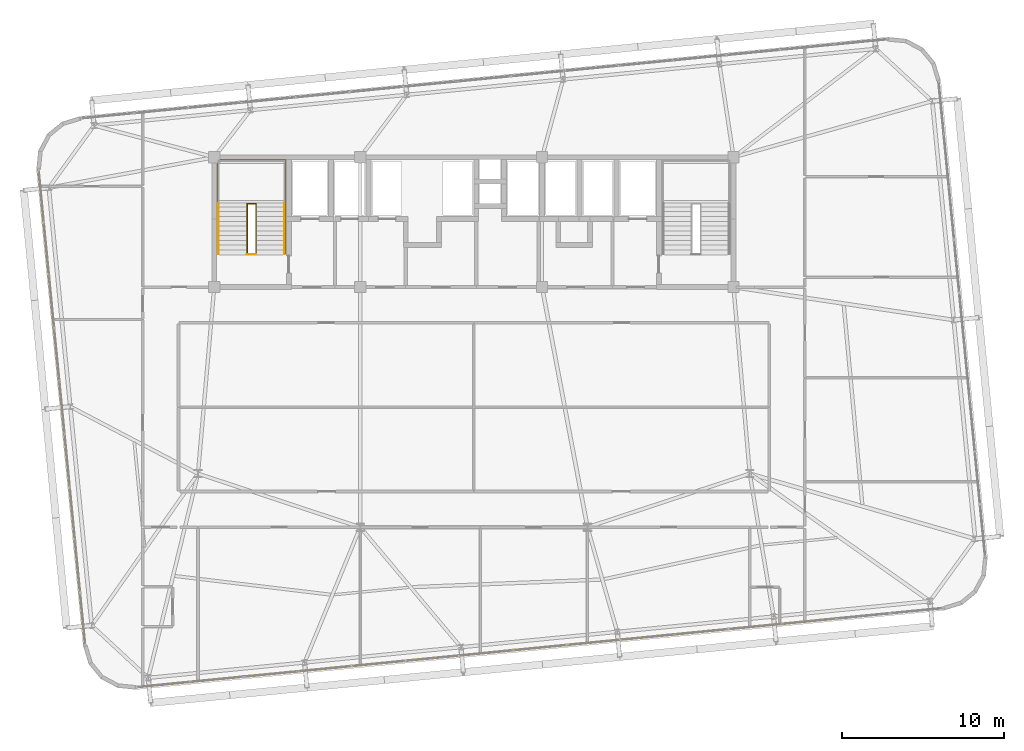
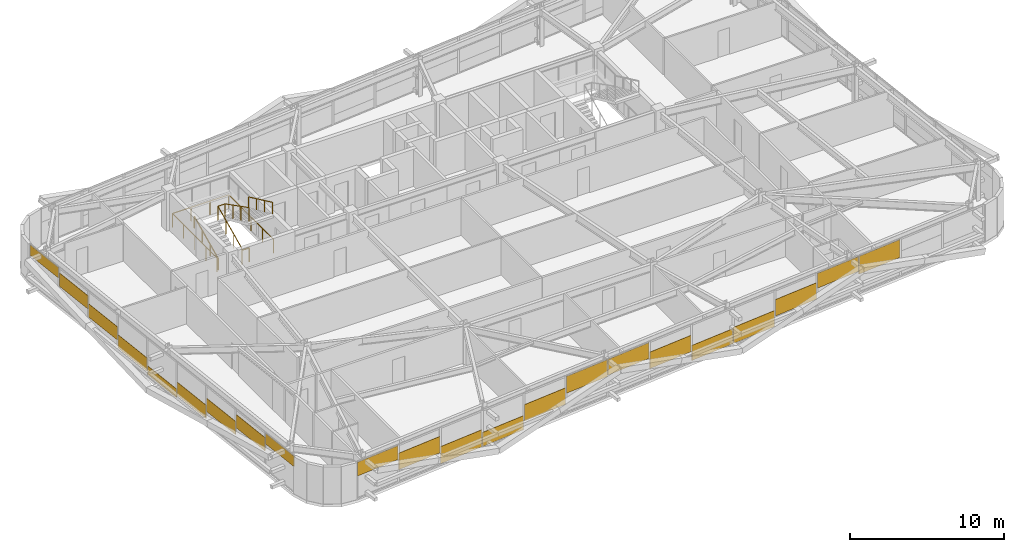
# One storey, part 50 of 52: 22 coverings, 5 railings.
"""IFC4 building model written with IfcOpenShell, lengths in metres."""

from ifc_helpers import new_model, si_unit, direction, frame, origin, origin_2d, place, context, subcontext, project, spatial, rectangle, extrude, source, transform, mapped, material, layer, layer_set, type_object, element, save


model = new_model("IFC4")

# Units and contexts
model_context = context("Model", 3, precision=1e-05, world=origin(), true_north=direction((0.0, 1.0)))
body_context = subcontext(model_context, "Body", "Model", "MODEL_VIEW")
ifc_project = project(units=[si_unit("LENGTHUNIT", "METRE"), si_unit("AREAUNIT", "SQUARE_METRE"), si_unit("VOLUMEUNIT", "CUBIC_METRE"), si_unit("PLANEANGLEUNIT", "RADIAN"), si_unit("MASSUNIT", "GRAM", prefix="KILO")], contexts=[model_context])

# Site, building, storey
site_placement = place(None, origin())
site = spatial("IfcSite", under=ifc_project, at=site_placement, CompositionType="ELEMENT")
building_placement = place(site_placement, origin())
building = spatial("IfcBuilding", under=site, at=building_placement, Name="Taldren Reach Tower", CompositionType="ELEMENT")
storey_placement = place(building_placement, frame((0.0, 0.0, 77.699951171875)))
storey = spatial("IfcBuildingStorey", under=building, at=storey_placement, Name="L23", CompositionType="ELEMENT", Elevation=77.699951171875)

# Railings
ifc_material_1 = material(Name="Steel Gr 350 (C350L0)", Category="steel")
ifc_layer_1 = layer(ifc_material_1, 0.050048828125)
ifc_layer_set_1 = layer_set([ifc_layer_1], Name="Steel Gr 350 (C350L0)")
railing_type_1 = type_object("IfcRailingType", Name="RL-STAIR-GR", PredefinedType="GUARDRAIL", material=ifc_layer_set_1)
railing_1_placement = place(storey_placement, frame((21.030029296875, 26.050048828125, 0.13134765625)))
element("IfcRailing", 1, at=railing_1_placement, inside=storey, type_object=railing_type_1, Name="Stairwell inner guard ST1-L23", PredefinedType="GUARDRAIL", context=body_context, shape_type="SweptSolid", body=[
    extrude(rectangle(XDim=0.047852, YDim=0.047852, at=origin_2d()), frame((0.0, 0.0, 1.09619140625), z_axis=(0.0, 0.905737652094, 0.423838773095), x_axis=(-1.0, 0.0, 0.0)), (0.0, 0.0, 1.0), 3.406005859375),
    extrude(rectangle(XDim=0.047852, YDim=0.047852, at=origin_2d()), frame((0.0, 3.0849609375, 2.53955078125), z_axis=(1.0, 0.0, 0.0), x_axis=(0.0, 1.0, 0.0)), (0.0, 0.0, 1.0), 0.5400390625),
    extrude(rectangle(XDim=0.047852, YDim=0.047852, at=origin_2d()), frame((0.5400390625, 3.0849609375, 2.53955078125), z_axis=(0.0, -0.890617412389, 0.454753366946), x_axis=(1.0, 0.0, 0.0)), (0.0, 0.0, 1.0), 3.4638671875),
    extrude(rectangle(XDim=0.041992, YDim=0.041992, at=origin_2d()), origin(), (0.0, 0.0, 1.0), 1.072021484375),
    extrude(rectangle(XDim=0.041992, YDim=0.041992, at=origin_2d()), frame((0.0, 1.0283203125, 0.481201171875)), (0.0, 0.0, 1.0), 1.072021484375),
    extrude(rectangle(XDim=0.041992, YDim=0.041992, at=origin_2d()), frame((0.0, 2.056640625, 0.96240234375)), (0.0, 0.0, 1.0), 1.072021484375),
    extrude(rectangle(XDim=0.041992, YDim=0.041992, at=origin_2d()), frame((0.0, 3.0849609375, 1.443603515625)), (0.0, 0.0, 1.0), 1.072021484375),
    extrude(rectangle(XDim=0.041992, YDim=0.041992, at=origin_2d()), frame((0.5400390625, 3.0849609375, 1.443603515625)), (0.0, 0.0, 1.0), 1.072021484375),
    extrude(rectangle(XDim=0.041992, YDim=0.041992, at=origin_2d()), frame((0.5400390625, 2.056640625, 1.96875)), (0.0, 0.0, 1.0), 1.072021484375),
    extrude(rectangle(XDim=0.041992, YDim=0.041992, at=origin_2d()), frame((0.5400390625, 1.0283203125, 2.49365234375)), (0.0, 0.0, 1.0), 1.072021484375),
    extrude(rectangle(XDim=0.041992, YDim=0.041992, at=origin_2d()), frame((0.5400390625, 0.0, 3.018798828125)), (0.0, 0.0, 1.0), 1.072021484375),
])
railing_2_placement = place(storey_placement, frame((21.030029296875, 26.010009765625, 0.0)))
element("IfcRailing", 2, at=railing_2_placement, inside=storey, type_object=railing_type_1, Name="Stairwell landing slot guard ST1-L23", PredefinedType="GUARDRAIL", context=body_context, shape_type="SweptSolid", body=[
    extrude(rectangle(XDim=0.047852, YDim=0.047852, at=origin_2d()), frame((0.0, 0.0, 1.09619140625), z_axis=(1.0, 0.0, 0.0), x_axis=(0.0, 1.0, 0.0)), (0.0, 0.0, 1.0), 0.5400390625),
    extrude(rectangle(XDim=0.041992, YDim=0.041992, at=origin_2d()), origin(), (0.0, 0.0, 1.0), 1.072021484375),
    extrude(rectangle(XDim=0.041992, YDim=0.041992, at=origin_2d()), frame((0.5400390625, 0.0, 0.0)), (0.0, 0.0, 1.0), 1.072021484375),
])
railing_3_placement = place(storey_placement, frame((19.18994140625, 26.050048828125, 0.0)))
element("IfcRailing", 3, at=railing_3_placement, inside=storey, type_object=railing_type_1, Name="Stairwell floor opening guard ST1-L23", PredefinedType="GUARDRAIL", context=body_context, shape_type="SweptSolid", body=[
    extrude(rectangle(XDim=0.047852, YDim=0.047852, at=origin_2d()), frame((0.0, 0.0, 1.09619140625), z_axis=(0.0, 1.0, 0.0), x_axis=(-1.0, 0.0, 0.0)), (0.0, 0.0, 1.0), 5.800048828125),
    extrude(rectangle(XDim=0.047852, YDim=0.047852, at=origin_2d()), frame((0.0, 5.800048828125, 1.09619140625), z_axis=(1.0, 0.0, 0.0), x_axis=(0.0, 1.0, 0.0)), (0.0, 0.0, 1.0), 4.219970703125),
    extrude(rectangle(XDim=0.047852, YDim=0.047852, at=origin_2d()), frame((4.219970703125, 5.800048828125, 1.09619140625), z_axis=(0.0, -1.0, 0.0), x_axis=(1.0, 0.0, 0.0)), (0.0, 0.0, 1.0), 5.800048828125),
    extrude(rectangle(XDim=0.041992, YDim=0.041992, at=origin_2d()), origin(), (0.0, 0.0, 1.0), 1.072021484375),
    extrude(rectangle(XDim=0.041992, YDim=0.041992, at=origin_2d()), frame((0.0, 1.449951171875, 0.0)), (0.0, 0.0, 1.0), 1.072021484375),
    extrude(rectangle(XDim=0.041992, YDim=0.041992, at=origin_2d()), frame((0.0, 2.89990234375, 0.0)), (0.0, 0.0, 1.0), 1.072021484375),
    extrude(rectangle(XDim=0.041992, YDim=0.041992, at=origin_2d()), frame((0.0, 4.35009765625, 0.0)), (0.0, 0.0, 1.0), 1.072021484375),
    extrude(rectangle(XDim=0.041992, YDim=0.041992, at=origin_2d()), frame((0.0, 5.800048828125, 0.0)), (0.0, 0.0, 1.0), 1.072021484375),
    extrude(rectangle(XDim=0.041992, YDim=0.041992, at=origin_2d()), frame((1.40673828125, 5.800048828125, 0.0)), (0.0, 0.0, 1.0), 1.072021484375),
    extrude(rectangle(XDim=0.041992, YDim=0.041992, at=origin_2d()), frame((2.813232421875, 5.800048828125, 0.0)), (0.0, 0.0, 1.0), 1.072021484375),
    extrude(rectangle(XDim=0.041992, YDim=0.041992, at=origin_2d()), frame((4.219970703125, 5.800048828125, 0.0)), (0.0, 0.0, 1.0), 1.072021484375),
    extrude(rectangle(XDim=0.041992, YDim=0.041992, at=origin_2d()), frame((4.219970703125, 4.35009765625, 0.0)), (0.0, 0.0, 1.0), 1.072021484375),
    extrude(rectangle(XDim=0.041992, YDim=0.041992, at=origin_2d()), frame((4.219970703125, 2.89990234375, 0.0)), (0.0, 0.0, 1.0), 1.072021484375),
    extrude(rectangle(XDim=0.041992, YDim=0.041992, at=origin_2d()), frame((4.219970703125, 1.449951171875, 0.0)), (0.0, 0.0, 1.0), 1.072021484375),
    extrude(rectangle(XDim=0.041992, YDim=0.041992, at=origin_2d()), frame((4.219970703125, 0.0, 0.0)), (0.0, 0.0, 1.0), 1.072021484375),
])
ifc_material_2 = material(Name="Stainless Steel Gr 316", Category="steel")
ifc_layer_2 = layer(ifc_material_2, 0.048095703125)
ifc_layer_set_2 = layer_set([ifc_layer_2], Name="Stainless Steel Gr 316")
railing_type_2 = type_object("IfcRailingType", Name="RL-STAIR-HR", PredefinedType="HANDRAIL", material=ifc_layer_set_2)
railing_4_placement = place(storey_placement, frame((19.27001953125, 26.050048828125, 0.13134765625)))
element("IfcRailing", 4, at=railing_4_placement, inside=storey, type_object=railing_type_2, Name="Stair flight handrail ST1-L23-1", PredefinedType="HANDRAIL", context=body_context, shape_type="SweptSolid", body=[
    extrude(rectangle(XDim=0.047852, YDim=0.047852, at=origin_2d()), frame((0.0, 0.0, 0.89599609375), z_axis=(0.0, 0.905737652094, 0.423838773095), x_axis=(-1.0, 0.0, 0.0)), (0.0, 0.0, 1.0), 3.406005859375),
    extrude(rectangle(XDim=0.041992, YDim=0.041992, at=origin_2d()), origin(), (0.0, 0.0, 1.0), 0.871826171875),
    extrude(rectangle(XDim=0.041992, YDim=0.041992, at=origin_2d()), frame((0.0, 1.0283203125, 0.481201171875)), (0.0, 0.0, 1.0), 0.871826171875),
    extrude(rectangle(XDim=0.041992, YDim=0.041992, at=origin_2d()), frame((0.0, 2.056640625, 0.96240234375)), (0.0, 0.0, 1.0), 0.871826171875),
    extrude(rectangle(XDim=0.041992, YDim=0.041992, at=origin_2d()), frame((0.0, 3.0849609375, 1.443603515625)), (0.0, 0.0, 1.0), 0.871826171875),
])
railing_5_placement = place(storey_placement, frame((23.330078125, 29.135009765625, 1.706298828125)))
element("IfcRailing", 5, at=railing_5_placement, inside=storey, type_object=railing_type_2, Name="Stair flight handrail ST1-L23-2", PredefinedType="HANDRAIL", context=body_context, shape_type="SweptSolid", body=[
    extrude(rectangle(XDim=0.047852, YDim=0.047852, at=origin_2d()), frame((0.0, 0.0, 0.89599609375), z_axis=(0.0, -0.905710134349, 0.423897573167), x_axis=(1.0, 0.0, 0.0)), (0.0, 0.0, 1.0), 3.406005859375),
    extrude(rectangle(XDim=0.041992, YDim=0.041992, at=origin_2d()), origin(), (0.0, 0.0, 1.0), 0.871826171875),
    extrude(rectangle(XDim=0.041992, YDim=0.041992, at=origin_2d()), frame((0.0, -1.0283203125, 0.481201171875)), (0.0, 0.0, 1.0), 0.871826171875),
    extrude(rectangle(XDim=0.041992, YDim=0.041992, at=origin_2d()), frame((0.0, -2.056640625, 0.962646484375)), (0.0, 0.0, 1.0), 0.871826171875),
    extrude(rectangle(XDim=0.041992, YDim=0.041992, at=origin_2d()), frame((0.0, -3.0849609375, 1.44384765625)), (0.0, 0.0, 1.0), 0.871826171875),
])

# Coverings
ifc_material_3 = material(Name="Pale Champagne Fluoropolymer Aluminium Spandrel Cladding", Category="aluminium")
ifc_layer_3 = layer(ifc_material_3, 0.0439453125)
ifc_layer_set_3 = layer_set([ifc_layer_3], Name="Pale Champagne Fluoropolymer Aluminium Spandrel Cladding")
covering_type = type_object("IfcCoveringType", Name="CV-CLAD-044", PredefinedType="CLADDING", material=ifc_layer_set_3)
shared_shape_1 = source(origin(), body_context, "Body", "SweptSolid", [
    extrude(rectangle(XDim=3.23583984375, YDim=0.0439453125, at=origin_2d()), origin(), (0.0, 0.0, 1.0), 1.094970703125),
])
covering_1_placement = place(storey_placement, frame((15.862548828125, -0.501220703125, 1.7802734375), z_axis=(0.0, 0.0, 1.0), x_axis=(0.995227390247, 0.097582999046, 0.0)))
element("IfcCovering", 6, at=covering_1_placement, inside=storey, type_object=covering_type, Name="Diagrid closure cladding strip CW-3 panel 1.1 1", PredefinedType="CLADDING", context=body_context, shape_type="MappedRepresentation", body=[
    mapped(shared_shape_1, transform((0.0, 0.0, 0.0), scale=1.0)),
])
shared_shape_2 = source(origin(), body_context, "Body", "SweptSolid", [
    extrude(rectangle(XDim=3.268310546875, YDim=0.0439453125, at=origin_2d()), origin(), (0.0, 0.0, 1.0), 1.3046875),
])
for number, where, z_axis, x_axis, name in (
    (7, (19.163818359375, -0.177734375, 0.943359375), (0.0, 0.0, 1.0), (0.995227390247, 0.097582999046, 0.0), "Diagrid closure cladding strip CW-3 panel 2.1 1"),
    (8, (29.1162109375, 0.798095703125, 0.702392578125), (0.0, 0.0, 1.0), (0.995227390247, 0.097582999046, 0.0), "Diagrid closure cladding strip CW-3 panel 5.1 1"),
    (9, (39.068359375, 1.77392578125, 0.78271484375), (0.0, 0.0, 1.0), (0.995227390247, 0.097582999046, 0.0), "Diagrid closure cladding strip CW-3 panel 8.1 1"),
    (10, (49.020751953125, 2.749755859375, 0.863037109375), (0.0, 0.0, 1.0), (0.995227390247, 0.097582999046, 0.0), "Diagrid closure cladding strip CW-3 panel 11.1 1"),
):
    element("IfcCovering", number, at=place(storey_placement, frame(where, z_axis=z_axis, x_axis=x_axis)), inside=storey, type_object=covering_type, Name=name, PredefinedType="CLADDING", context=body_context, shape_type="MappedRepresentation", body=[
        mapped(shared_shape_2, transform((0.0, 0.0, 0.0), scale=1.0)),
    ])
shared_shape_3 = source(origin(), body_context, "Body", "SweptSolid", [
    extrude(rectangle(XDim=3.268310546875, YDim=0.0439453125, at=origin_2d()), origin(), (0.0, 0.0, 1.0), 1.356201171875),
])
covering_2_placement = place(storey_placement, frame((22.481201171875, 0.147705078125, 0.05517578125), z_axis=(0.0, 0.0, 1.0), x_axis=(0.995227390247, 0.097582999046, 0.0)))
element("IfcCovering", 11, at=covering_2_placement, inside=storey, type_object=covering_type, Name="Diagrid closure cladding strip CW-3 panel 3.1 1", PredefinedType="CLADDING", context=body_context, shape_type="MappedRepresentation", body=[
    mapped(shared_shape_3, transform((0.0, 0.0, 0.0), scale=1.0)),
])
shared_shape_4 = source(origin(), body_context, "Body", "SweptSolid", [
    extrude(rectangle(XDim=3.268310546875, YDim=0.0439453125, at=origin_2d()), origin(), (0.0, 0.0, 1.0), 1.115234375),
])
covering_3_placement = place(storey_placement, frame((25.798828125, 0.472900390625, 0.05517578125), z_axis=(0.0, 0.0, 1.0), x_axis=(0.995227390247, 0.097582999046, 0.0)))
element("IfcCovering", 12, at=covering_3_placement, inside=storey, type_object=covering_type, Name="Diagrid closure cladding strip CW-3 panel 4.1 1", PredefinedType="CLADDING", context=body_context, shape_type="MappedRepresentation", body=[
    mapped(shared_shape_4, transform((0.0, 0.0, 0.0), scale=1.0)),
])
shared_shape_5 = source(origin(), body_context, "Body", "SweptSolid", [
    extrude(rectangle(XDim=3.268310546875, YDim=0.0439453125, at=origin_2d()), origin(), (0.0, 0.0, 1.0), 1.3359375),
])
covering_4_placement = place(storey_placement, frame((32.43359375, 1.12353515625, 1.5390625), z_axis=(0.0, 0.0, 1.0), x_axis=(0.995227390247, 0.097582999046, 0.0)))
element("IfcCovering", 13, at=covering_4_placement, inside=storey, type_object=covering_type, Name="Diagrid closure cladding strip CW-3 panel 6.1 1", PredefinedType="CLADDING", context=body_context, shape_type="MappedRepresentation", body=[
    mapped(shared_shape_5, transform((0.0, 0.0, 0.0), scale=1.0)),
])
shared_shape_6 = source(origin(), body_context, "Body", "SweptSolid", [
    extrude(rectangle(XDim=3.268310546875, YDim=0.0439453125, at=origin_2d()), origin(), (0.0, 0.0, 1.0), 1.255615234375),
])
covering_5_placement = place(storey_placement, frame((35.7509765625, 1.44873046875, 1.61962890625), z_axis=(0.0, 0.0, 1.0), x_axis=(0.995227390247, 0.097582999046, 0.0)))
element("IfcCovering", 14, at=covering_5_placement, inside=storey, type_object=covering_type, Name="Diagrid closure cladding strip CW-3 panel 7.1 1", PredefinedType="CLADDING", context=body_context, shape_type="MappedRepresentation", body=[
    mapped(shared_shape_6, transform((0.0, 0.0, 0.0), scale=1.0)),
])
shared_shape_7 = source(origin(), body_context, "Body", "SweptSolid", [
    extrude(rectangle(XDim=3.268310546875, YDim=0.0439453125, at=origin_2d()), origin(), (0.0, 0.0, 1.0), 1.195556640625),
])
covering_6_placement = place(storey_placement, frame((42.3857421875, 2.099365234375, 0.05517578125), z_axis=(0.0, 0.0, 1.0), x_axis=(0.995227390247, 0.097582999046, 0.0)))
element("IfcCovering", 15, at=covering_6_placement, inside=storey, type_object=covering_type, Name="Diagrid closure cladding strip CW-3 panel 9.1 1", PredefinedType="CLADDING", context=body_context, shape_type="MappedRepresentation", body=[
    mapped(shared_shape_7, transform((0.0, 0.0, 0.0), scale=1.0)),
])
shared_shape_8 = source(origin(), body_context, "Body", "SweptSolid", [
    extrude(rectangle(XDim=3.268310546875, YDim=0.0439453125, at=origin_2d()), origin(), (0.0, 0.0, 1.0), 1.27587890625),
])
covering_7_placement = place(storey_placement, frame((45.703369140625, 2.424560546875, 0.05517578125), z_axis=(0.0, 0.0, 1.0), x_axis=(0.995227390247, 0.097582999046, 0.0)))
element("IfcCovering", 16, at=covering_7_placement, inside=storey, type_object=covering_type, Name="Diagrid closure cladding strip CW-3 panel 10.1 1", PredefinedType="CLADDING", context=body_context, shape_type="MappedRepresentation", body=[
    mapped(shared_shape_8, transform((0.0, 0.0, 0.0), scale=1.0)),
])
shared_shape_9 = source(origin(), body_context, "Body", "SweptSolid", [
    extrude(rectangle(XDim=3.268310546875, YDim=0.0439453125, at=origin_2d()), origin(), (0.0, 0.0, 1.0), 1.17529296875),
])
covering_8_placement = place(storey_placement, frame((52.338134765625, 3.0751953125, 1.69970703125), z_axis=(0.0, 0.0, 1.0), x_axis=(0.995227390247, 0.097582999046, 0.0)))
element("IfcCovering", 17, at=covering_8_placement, inside=storey, type_object=covering_type, Name="Diagrid closure cladding strip CW-3 panel 12.1 1", PredefinedType="CLADDING", context=body_context, shape_type="MappedRepresentation", body=[
    mapped(shared_shape_9, transform((0.0, 0.0, 0.0), scale=1.0)),
])
shared_shape_10 = source(origin(), body_context, "Body", "SweptSolid", [
    extrude(rectangle(XDim=3.268310546875, YDim=0.0439453125, at=origin_2d()), origin(), (0.0, 0.0, 1.0), 1.416259765625),
])
covering_9_placement = place(storey_placement, frame((55.655517578125, 3.400390625, 1.458984375), z_axis=(0.0, 0.0, 1.0), x_axis=(0.995227390247, 0.097582999046, 0.0)))
element("IfcCovering", 18, at=covering_9_placement, inside=storey, type_object=covering_type, Name="Diagrid closure cladding strip CW-3 panel 13.1 1", PredefinedType="CLADDING", context=body_context, shape_type="MappedRepresentation", body=[
    mapped(shared_shape_10, transform((0.0, 0.0, 0.0), scale=1.0)),
])
shared_shape_11 = source(origin(), body_context, "Body", "SweptSolid", [
    extrude(rectangle(XDim=3.18017578125, YDim=0.0439453125, at=origin_2d()), origin(), (0.0, 0.0, 1.0), 0.83056640625),
])
for number, where, z_axis, x_axis, name in (
    (19, (8.34521484375, 29.61376953125, 2.04443359375), (0.0, 0.0, 1.0), (0.09758274098, -0.99522741555, 0.0), "Diagrid closure cladding strip CW-3 panel 1.1 1"),
    (20, (10.90087890625, 3.549072265625, 2.04443359375), (0.0, 0.0, 1.0), (0.09758274098, -0.99522741555, 0.0), "Diagrid closure cladding strip CW-3 panel 9.1 1"),
):
    element("IfcCovering", number, at=place(storey_placement, frame(where, z_axis=z_axis, x_axis=x_axis)), inside=storey, type_object=covering_type, Name=name, PredefinedType="CLADDING", context=body_context, shape_type="MappedRepresentation", body=[
        mapped(shared_shape_11, transform((0.0, 0.0, 0.0), scale=1.0)),
    ])
shared_shape_12 = source(origin(), body_context, "Body", "SweptSolid", [
    extrude(rectangle(XDim=3.212890625, YDim=0.0439453125, at=origin_2d()), origin(), (0.0, 0.0, 1.0), 1.053466796875),
])
for number, where, z_axis, x_axis, name in (
    (21, (8.663330078125, 26.36767578125, 1.45654296875), (0.0, 0.0, 1.0), (0.09758274098, -0.99522741555, 0.0), "Diagrid closure cladding strip CW-3 panel 2.1 1"),
    (22, (8.983154296875, 23.105712890625, 0.869140625), (0.0, 0.0, 1.0), (0.09758274098, -0.99522741555, 0.0), "Diagrid closure cladding strip CW-3 panel 3.1 1"),
    (23, (9.30322265625, 19.843505859375, 0.28125), (0.0, 0.0, 1.0), (0.09758274098, -0.99522741555, 0.0), "Diagrid closure cladding strip CW-3 panel 4.1 1"),
    (24, (9.94287109375, 13.319091796875, 0.28125), (0.0, 0.0, 1.0), (0.09758274098, -0.99522741555, 0.0), "Diagrid closure cladding strip CW-3 panel 6.1 1"),
    (25, (10.2626953125, 10.05712890625, 0.869140625), (0.0, 0.0, 1.0), (0.09758274098, -0.99522741555, 0.0), "Diagrid closure cladding strip CW-3 panel 7.1 1"),
    (26, (10.58251953125, 6.794921875, 1.45654296875), (0.0, 0.0, 1.0), (0.09758274098, -0.99522741555, 0.0), "Diagrid closure cladding strip CW-3 panel 8.1 1"),
):
    element("IfcCovering", number, at=place(storey_placement, frame(where, z_axis=z_axis, x_axis=x_axis)), inside=storey, type_object=covering_type, Name=name, PredefinedType="CLADDING", context=body_context, shape_type="MappedRepresentation", body=[
        mapped(shared_shape_12, transform((0.0, 0.0, 0.0), scale=1.0)),
    ])
shared_shape_13 = source(origin(), body_context, "Body", "SweptSolid", [
    extrude(rectangle(XDim=3.212890625, YDim=0.0439453125, at=origin_2d()), origin(), (0.0, 0.0, 1.0), 0.691650390625),
])
covering_10_placement = place(storey_placement, frame((9.623046875, 16.581298828125, 0.05517578125), z_axis=(0.0, 0.0, 1.0), x_axis=(0.09758274098, -0.99522741555, 0.0)))
element("IfcCovering", 27, at=covering_10_placement, inside=storey, type_object=covering_type, Name="Diagrid closure cladding strip CW-3 panel 5.1 1", PredefinedType="CLADDING", context=body_context, shape_type="MappedRepresentation", body=[
    mapped(shared_shape_13, transform((0.0, 0.0, 0.0), scale=1.0)),
])

save(model, "model.ifc")
